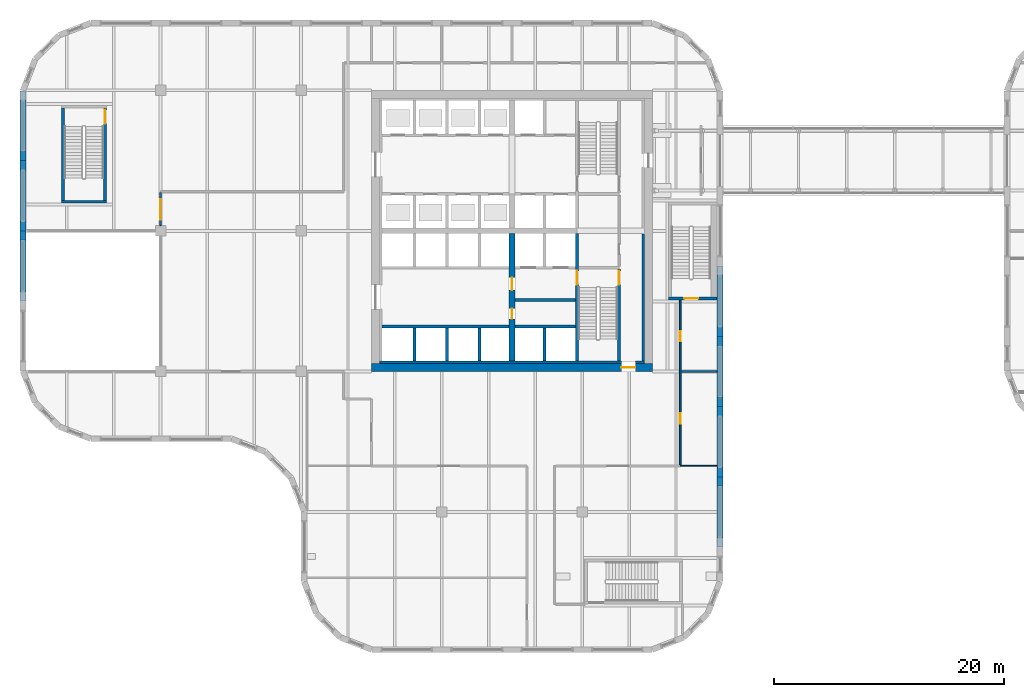
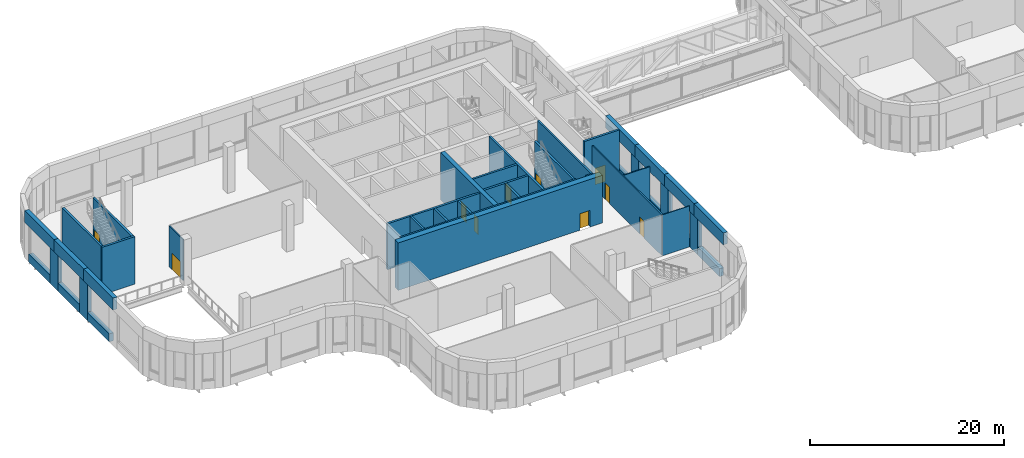
# One storey, part 22 of 36: 41 walls, 10 doors, 10 openings.
"""IFC4 building model written with IfcOpenShell, lengths in metres."""

from ifc_helpers import new_model, si_unit, direction, frame, frame_2d, origin, place, context, subcontext, project, spatial, polyline, rectangle, outline, extrude, faceted_brep, source, transform, mapped, material, layer, layer_set, type_object, element, fill, save


model = new_model("IFC4")

# Units and contexts
model_context = context("Model", 3, precision=1e-05, world=origin(), true_north=direction((0.0, 1.0)))
body_context = subcontext(model_context, "Body", "Model", "MODEL_VIEW")
ifc_project = project(units=[si_unit("LENGTHUNIT", "METRE"), si_unit("AREAUNIT", "SQUARE_METRE"), si_unit("VOLUMEUNIT", "CUBIC_METRE"), si_unit("PLANEANGLEUNIT", "RADIAN"), si_unit("MASSUNIT", "GRAM", prefix="KILO")], contexts=[model_context])

# Site, building, storey
site_placement = place(None, origin())
site = spatial("IfcSite", under=ifc_project, at=site_placement, CompositionType="ELEMENT")
building_placement = place(site_placement, origin())
building = spatial("IfcBuilding", under=site, at=building_placement, Name="Tessera Gate Towers", CompositionType="ELEMENT")
storey_placement = place(building_placement, frame((0.0, 0.0, 106.60009765625)))
storey = spatial("IfcBuildingStorey", under=building, at=storey_placement, Name="L26", CompositionType="ELEMENT", Elevation=106.60009765625)

# Wall, opening, door
ifc_material_1 = material(Name="Concrete C40/50", Category="concrete")
ifc_layer_1 = layer(ifc_material_1, 0.25)
ifc_layer_set_1 = layer_set([ifc_layer_1], Name="CORE ENCLOSURE WALL 250")
wall_type_1 = type_object("IfcWallType", Name="CORE ENCLOSURE WALL 250", PredefinedType="SOLIDWALL", material=ifc_layer_set_1)
wall_1_placement = place(storey_placement, frame((48.35009765625, 36.35009765625, 0.0), z_axis=(0.0, 0.0, 1.0), x_axis=(0.0, -1.0, 0.0)))
wall_1 = element("IfcWall", 1, at=wall_1_placement, inside=storey, type_object=wall_type_1, Name="L26 shaft and stair enclosure wall", PredefinedType="SOLIDWALL", context=body_context, shape_type="SweptSolid", body=[
    extrude(rectangle(XDim=11.050048828125, YDim=0.25, at=frame_2d((5.52490234375, 0.0))), origin(), (0.0, 0.0, 1.0), 6.0),
])
shared_shape_1 = source(origin(), body_context, "Body", "SweptSolid", [
    extrude(rectangle(XDim=1.199951171875, YDim=2.10009765625, at=frame_2d((0.60009765625, 1.050048828125))), frame((0.0, 0.135009765625, 0.0), z_axis=(0.0, -1.0, 0.0), x_axis=(1.0, 0.0, 0.0)), (0.0, 0.0, 1.0), 0.27001953125),
])
opening_1_placement = place(wall_1_placement, frame((3.22509765625, 0.0, 0.0)))
opening_1 = element("IfcOpeningElement", 2, at=opening_1_placement, cuts=wall_1, Name="Opening SD-ST1-1", PredefinedType="OPENING", context=body_context, shape_type="MappedRepresentation", body=[
    mapped(shared_shape_1, transform((0.0, 0.0, 0.0), scale=1.0)),
])
ifc_material_2 = material(Name="Hollow steel fire door", Category="steel")
door_type_1 = type_object("IfcDoorType", Name="CORE DOOR SD 1200x2100", OperationType="NOTDEFINED", PredefinedType="DOOR", material=ifc_material_2)
shared_shape_2 = source(origin(), body_context, "Body", "SweptSolid", [
    extrude(rectangle(XDim=1.199951171875, YDim=2.10009765625, at=frame_2d((0.60009765625, 1.050048828125))), frame((0.0, 0.02490234375, 0.0), z_axis=(0.0, -1.0, 0.0), x_axis=(1.0, 0.0, 0.0)), (0.0, 0.0, 1.0), 0.050048828125),
])
door_1_placement = place(opening_1_placement, origin())
door_1 = element("IfcDoor", 3, at=door_1_placement, inside=storey, type_object=door_type_1, Name="Stair door", OperationType="SINGLE_SWING_LEFT", OverallHeight=2.10009765625, OverallWidth=1.199951171875, PredefinedType="DOOR", context=body_context, shape_type="MappedRepresentation", body=[
    mapped(shared_shape_2, transform((0.0, 0.0, 0.0), scale=1.0)),
])
fill(opening_1, door_1)

# Walls
wall_2_placement = place(storey_placement, frame((31.39990234375, 28.300048828125, 0.0), z_axis=(0.0, 0.0, 1.0), x_axis=(1.0, 0.0, 0.0)))
element("IfcWall", 4, at=wall_2_placement, inside=storey, type_object=wall_type_1, Name="L26 shaft and stair enclosure wall", PredefinedType="SOLIDWALL", context=body_context, shape_type="SweptSolid", body=[
    extrude(rectangle(XDim=11.050048828125, YDim=0.25, at=frame_2d((5.52490234375, 0.0))), origin(), (0.0, 0.0, 1.0), 5.7998046875),
])
wall_3_placement = place(storey_placement, frame((42.949951171875, 28.300048828125, 0.0), z_axis=(0.0, 0.0, 1.0), x_axis=(1.0, 0.0, 0.0)))
element("IfcWall", 5, at=wall_3_placement, inside=storey, type_object=wall_type_1, Name="L26 shaft and stair enclosure wall", PredefinedType="SOLIDWALL", context=body_context, shape_type="SweptSolid", body=[
    extrude(rectangle(XDim=5.275146484375, YDim=0.25, at=frame_2d((2.6376953125, 0.0))), origin(), (0.0, 0.0, 1.0), 6.0),
])

# Wall, opening, door
wall_4_placement = place(storey_placement, frame((52.0, 25.300048828125, 0.0), z_axis=(0.0, 0.0, 1.0), x_axis=(0.0, 1.0, 0.0)))
wall_4 = element("IfcWall", 6, at=wall_4_placement, inside=storey, type_object=wall_type_1, Name="L26 shaft and stair enclosure wall", PredefinedType="SOLIDWALL", context=body_context, shape_type="SweptSolid", body=[
    extrude(rectangle(XDim=7.974853515625, YDim=0.25, at=frame_2d((3.9873046875, 0.0))), origin(), (0.0, 0.0, 1.0), 6.0),
])
opening_2_placement = place(wall_4_placement, frame((6.625, 0.0, 0.0)))
opening_2 = element("IfcOpeningElement", 7, at=opening_2_placement, cuts=wall_4, Name="Opening SD-ST1-2", PredefinedType="OPENING", context=body_context, shape_type="MappedRepresentation", body=[
    mapped(shared_shape_1, transform((0.0, 0.0, 0.0), scale=1.0)),
])
door_2_placement = place(opening_2_placement, origin())
door_2 = element("IfcDoor", 8, at=door_2_placement, inside=storey, type_object=door_type_1, Name="Stair door", OperationType="SINGLE_SWING_RIGHT", OverallHeight=2.10009765625, OverallWidth=1.199951171875, PredefinedType="DOOR", context=body_context, shape_type="MappedRepresentation", body=[
    mapped(shared_shape_2, transform((0.0, 0.0, 0.0), scale=1.0)),
])
fill(opening_2, door_2)

# Walls
wall_5_placement = place(storey_placement, frame((42.949951171875, 30.60009765625, 0.0), z_axis=(0.0, 0.0, 1.0), x_axis=(1.0, 0.0, 0.0)))
element("IfcWall", 9, at=wall_5_placement, inside=storey, type_object=wall_type_1, Name="L26 shaft and stair enclosure wall", PredefinedType="SOLIDWALL", context=body_context, shape_type="SweptSolid", body=[
    extrude(rectangle(XDim=5.275146484375, YDim=0.25, at=frame_2d((2.6376953125, 0.0))), origin(), (0.0, 0.0, 1.0), 6.0),
])
for number, where, z_axis, x_axis, name in (
    (10, (34.22509765625, 25.300048828125, 0.0), (0.0, 0.0, 1.0), (0.0, 1.0, 0.0), "L26 shaft and stair enclosure wall"),
    (11, (37.050048828125, 25.300048828125, 0.0), (0.0, 0.0, 1.0), (0.0, 1.0, 0.0), "L26 shaft and stair enclosure wall"),
    (12, (39.875, 25.300048828125, 0.0), (0.0, 0.0, 1.0), (0.0, 1.0, 0.0), "L26 shaft and stair enclosure wall"),
):
    element("IfcWall", number, at=place(storey_placement, frame(where, z_axis=z_axis, x_axis=x_axis)), inside=storey, type_object=wall_type_1, Name=name, PredefinedType="SOLIDWALL", context=body_context, shape_type="SweptSolid", body=[
        extrude(rectangle(XDim=2.875, YDim=0.25, at=frame_2d((1.4375, 0.0))), origin(), (0.0, 0.0, 1.0), 5.7998046875),
    ])
wall_6_placement = place(storey_placement, frame((45.52490234375, 25.300048828125, 0.0), z_axis=(0.0, 0.0, 1.0), x_axis=(0.0, 1.0, 0.0)))
element("IfcWall", 13, at=wall_6_placement, inside=storey, type_object=wall_type_1, Name="L26 shaft and stair enclosure wall", PredefinedType="SOLIDWALL", context=body_context, shape_type="SweptSolid", body=[
    extrude(rectangle(XDim=2.875, YDim=0.25, at=frame_2d((1.4375, 0.0))), origin(), (0.0, 0.0, 1.0), 6.0),
])
wall_7_placement = place(storey_placement, frame((7.5, 39.125, 0.0), z_axis=(0.0, 0.0, 1.0), x_axis=(-1.0, 0.0, 0.0)))
element("IfcWall", 14, at=wall_7_placement, inside=storey, type_object=wall_type_1, Name="L26 ST3 enclosure wall", PredefinedType="SOLIDWALL", context=body_context, shape_type="SweptSolid", body=[
    extrude(rectangle(XDim=3.89990234375, YDim=0.25, at=frame_2d((1.949951171875, 0.0))), origin(), (0.0, 0.0, 1.0), 6.0),
])
wall_8_placement = place(storey_placement, frame((3.72509765625, 39.25, 0.0), z_axis=(0.0, 0.0, 1.0), x_axis=(0.0, 1.0, 0.0)))
element("IfcWall", 15, at=wall_8_placement, inside=storey, type_object=wall_type_1, Name="L26 ST3 enclosure wall", PredefinedType="SOLIDWALL", context=body_context, shape_type="SweptSolid", body=[
    extrude(rectangle(XDim=8.0, YDim=0.25, at=frame_2d((4.0, 0.0))), origin(), (0.0, 0.0, 1.0), 6.0),
])

# Wall, opening, door
wall_9_placement = place(storey_placement, frame((7.375, 47.25, 0.0), z_axis=(0.0, 0.0, 1.0), x_axis=(0.0, -1.0, 0.0)))
wall_9 = element("IfcWall", 16, at=wall_9_placement, inside=storey, type_object=wall_type_1, Name="L26 ST3 enclosure wall", PredefinedType="SOLIDWALL", context=body_context, shape_type="SweptSolid", body=[
    extrude(rectangle(XDim=8.0, YDim=0.25, at=frame_2d((4.0, 0.0))), origin(), (0.0, 0.0, 1.0), 6.0),
])
opening_3_placement = place(wall_9_placement, frame((0.14990234375, 0.0, 0.0)))
opening_3 = element("IfcOpeningElement", 17, at=opening_3_placement, cuts=wall_9, Name="Opening SD-ST3-1", PredefinedType="OPENING", context=body_context, shape_type="MappedRepresentation", body=[
    mapped(shared_shape_1, transform((0.0, 0.0, 0.0), scale=1.0)),
])
door_3_placement = place(opening_3_placement, origin())
door_3 = element("IfcDoor", 18, at=door_3_placement, inside=storey, type_object=door_type_1, Name="Stair door", OperationType="SINGLE_SWING_LEFT", OverallHeight=2.10009765625, OverallWidth=1.199951171875, PredefinedType="DOOR", context=body_context, shape_type="MappedRepresentation", body=[
    mapped(shared_shape_2, transform((0.0, 0.0, 0.0), scale=1.0)),
])
fill(opening_3, door_3)

wall_10_placement = place(storey_placement, frame((60.5, 30.72509765625, 0.0), z_axis=(0.0, 0.0, 1.0), x_axis=(-1.0, 0.0, 0.0)))
wall_10 = element("IfcWall", 19, at=wall_10_placement, inside=storey, type_object=wall_type_1, Name="L26 ST5 enclosure wall", PredefinedType="SOLIDWALL", context=body_context, shape_type="SweptSolid", body=[
    extrude(rectangle(XDim=4.199951171875, YDim=0.25, at=frame_2d((2.10009765625, 0.0))), origin(), (0.0, 0.0, 1.0), 6.0),
])
opening_4_placement = place(wall_10_placement, frame((1.64990234375, 0.0, 0.0)))
opening_4 = element("IfcOpeningElement", 20, at=opening_4_placement, cuts=wall_10, Name="Opening SD-ST5-1", PredefinedType="OPENING", context=body_context, shape_type="MappedRepresentation", body=[
    mapped(shared_shape_1, transform((0.0, 0.0, 0.0), scale=1.0)),
])
door_4_placement = place(opening_4_placement, origin())
door_4 = element("IfcDoor", 21, at=door_4_placement, inside=storey, type_object=door_type_1, Name="Stair door", OperationType="SINGLE_SWING_RIGHT", OverallHeight=2.10009765625, OverallWidth=1.199951171875, PredefinedType="DOOR", context=body_context, shape_type="MappedRepresentation", body=[
    mapped(shared_shape_2, transform((0.0, 0.0, 0.0), scale=1.0)),
])
fill(opening_4, door_4)

ifc_material_3 = material(Name="Concrete C60/75", Category="concrete")
ifc_layer_2 = layer(ifc_material_3, 0.699951171875)
ifc_layer_set_2 = layer_set([ifc_layer_2], Name="CORE SHEAR WALL 700 C60/75")
wall_type_2 = type_object("IfcWallType", Name="CORE SHEAR WALL 700 C60/75", PredefinedType="SHEAR", material=ifc_layer_set_2)
wall_11_placement = place(storey_placement, frame((54.89990234375, 24.75, 0.0), z_axis=(0.0, 0.0, 1.0), x_axis=(-1.0, 0.0, 0.0)))
wall_11 = element("IfcWall", 22, at=wall_11_placement, inside=storey, type_object=wall_type_2, Name="Core wall S L26", PredefinedType="SHEAR", context=body_context, shape_type="SweptSolid", body=[
    extrude(rectangle(XDim=24.39990234375, YDim=0.699951171875, at=frame_2d((12.199951171875, 0.0))), origin(), (0.0, 0.0, 1.0), 6.0),
])
shared_shape_3 = source(origin(), body_context, "Body", "SweptSolid", [
    extrude(rectangle(XDim=1.199951171875, YDim=2.10009765625, at=frame_2d((0.60009765625, 1.050048828125))), frame((0.0, 0.35986328125, 0.0), z_axis=(0.0, -1.0, 0.0), x_axis=(1.0, 0.0, 0.0)), (0.0, 0.0, 1.0), 0.719970703125),
])
opening_5_placement = place(wall_11_placement, frame((1.5, 0.0, 0.0)))
opening_5 = element("IfcOpeningElement", 23, at=opening_5_placement, cuts=wall_11, Name="Opening ED-T1-18-01", PredefinedType="OPENING", context=body_context, shape_type="MappedRepresentation", body=[
    mapped(shared_shape_3, transform((0.0, 0.0, 0.0), scale=1.0)),
])
ifc_material_4 = material(Name="Hollow steel fire door", Category="steel")
door_type_2 = type_object("IfcDoorType", Name="CORE DOOR ED 1200x2100", OperationType="NOTDEFINED", PredefinedType="DOOR", material=ifc_material_4)
door_5_placement = place(opening_5_placement, origin())
door_5 = element("IfcDoor", 24, at=door_5_placement, inside=storey, type_object=door_type_2, Name="Core exit door", OperationType="SINGLE_SWING_LEFT", OverallHeight=2.10009765625, OverallWidth=1.199951171875, PredefinedType="DOOR", context=body_context, shape_type="MappedRepresentation", body=[
    mapped(shared_shape_2, transform((0.0, 0.0, 0.0), scale=1.0)),
])
fill(opening_5, door_5)

# Wall, openings, doors
ifc_material_5 = material(Name="Concrete C60/75", Category="concrete")
ifc_layer_3 = layer(ifc_material_5, 0.5)
ifc_layer_set_3 = layer_set([ifc_layer_3], Name="CORE SPINE WALL 500 C60/75")
wall_type_3 = type_object("IfcWallType", Name="CORE SPINE WALL 500 C60/75", PredefinedType="SHEAR", material=ifc_layer_set_3)
wall_12_placement = place(storey_placement, frame((42.699951171875, 36.35009765625, 0.0), z_axis=(0.0, 0.0, 1.0), x_axis=(0.0, -1.0, 0.0)))
wall_12 = element("IfcWall", 25, at=wall_12_placement, inside=storey, type_object=wall_type_3, Name="Core wall spine L26", PredefinedType="SHEAR", context=body_context, shape_type="SweptSolid", body=[
    extrude(rectangle(XDim=11.050048828125, YDim=0.5, at=frame_2d((5.52490234375, 0.0))), origin(), (0.0, 0.0, 1.0), 6.0),
])
shared_shape_4 = source(origin(), body_context, "Body", "SweptSolid", [
    extrude(rectangle(XDim=0.89990234375, YDim=2.10009765625, at=frame_2d((0.449951171875, 1.050048828125))), frame((0.0, 0.260009765625, 0.0), z_axis=(0.0, -1.0, 0.0), x_axis=(1.0, 0.0, 0.0)), (0.0, 0.0, 1.0), 0.52001953125),
])
opening_6_placement = place(wall_12_placement, frame((6.5, 0.0, 0.0)))
opening_6 = element("IfcOpeningElement", 26, at=opening_6_placement, cuts=wall_12, Name="Opening RD-T1-18-05", PredefinedType="OPENING", context=body_context, shape_type="MappedRepresentation", body=[
    mapped(shared_shape_4, transform((0.0, 0.0, 0.0), scale=1.0)),
])
shared_shape_5 = source(origin(), body_context, "Body", "SweptSolid", [
    extrude(rectangle(XDim=1.10009765625, YDim=2.10009765625, at=frame_2d((0.550048828125, 1.050048828125))), frame((0.0, 0.260009765625, 0.0), z_axis=(0.0, -1.0, 0.0), x_axis=(1.0, 0.0, 0.0)), (0.0, 0.0, 1.0), 0.52001953125),
])
opening_7_placement = place(wall_12_placement, frame((3.800048828125, 0.0, 0.0)))
opening_7 = element("IfcOpeningElement", 27, at=opening_7_placement, cuts=wall_12, Name="Opening FD-T1-18-06", PredefinedType="OPENING", context=body_context, shape_type="MappedRepresentation", body=[
    mapped(shared_shape_5, transform((0.0, 0.0, 0.0), scale=1.0)),
])
ifc_material_6 = material(Name="Hollow steel fire door", Category="steel")
door_type_3 = type_object("IfcDoorType", Name="CORE DOOR RD 900x2100", OperationType="NOTDEFINED", PredefinedType="DOOR", material=ifc_material_6)
shared_shape_6 = source(origin(), body_context, "Body", "SweptSolid", [
    extrude(rectangle(XDim=0.89990234375, YDim=2.10009765625, at=frame_2d((0.449951171875, 1.050048828125))), frame((0.0, 0.02490234375, 0.0), z_axis=(0.0, -1.0, 0.0), x_axis=(1.0, 0.0, 0.0)), (0.0, 0.0, 1.0), 0.050048828125),
])
door_6_placement = place(opening_6_placement, origin())
door_6 = element("IfcDoor", 28, at=door_6_placement, inside=storey, type_object=door_type_3, Name="Core room door", OperationType="SINGLE_SWING_RIGHT", OverallHeight=2.10009765625, OverallWidth=0.89990234375, PredefinedType="DOOR", context=body_context, shape_type="MappedRepresentation", body=[
    mapped(shared_shape_6, transform((0.0, 0.0, 0.0), scale=1.0)),
])
fill(opening_6, door_6)
ifc_material_7 = material(Name="Hollow steel fire door", Category="steel")
door_type_4 = type_object("IfcDoorType", Name="CORE DOOR FD 1100x2100", OperationType="NOTDEFINED", PredefinedType="DOOR", material=ifc_material_7)
shared_shape_7 = source(origin(), body_context, "Body", "SweptSolid", [
    extrude(rectangle(XDim=1.10009765625, YDim=2.10009765625, at=frame_2d((0.550048828125, 1.050048828125))), frame((0.0, 0.02490234375, 0.0), z_axis=(0.0, -1.0, 0.0), x_axis=(1.0, 0.0, 0.0)), (0.0, 0.0, 1.0), 0.050048828125),
])
door_7_placement = place(opening_7_placement, origin())
door_7 = element("IfcDoor", 29, at=door_7_placement, inside=storey, type_object=door_type_4, Name="Fire-fighting lobby door", OperationType="SINGLE_SWING_LEFT", OverallHeight=2.10009765625, OverallWidth=1.10009765625, PredefinedType="DOOR", context=body_context, shape_type="MappedRepresentation", body=[
    mapped(shared_shape_7, transform((0.0, 0.0, 0.0), scale=1.0)),
])
fill(opening_7, door_7)

# Walls
ifc_material_8 = material(Name="Concrete C60/75", Category="concrete")
ifc_layer_4 = layer(ifc_material_8, 0.199951171875)
ifc_layer_set_4 = layer_set([ifc_layer_4], Name="CORE WALL THICKENING 200")
wall_type_4 = type_object("IfcWallType", Name="CORE WALL THICKENING 200", PredefinedType="SOLIDWALL", material=ifc_layer_set_4)
wall_13_placement = place(storey_placement, frame((31.199951171875, 25.199951171875, 0.0), z_axis=(0.0, 0.0, 1.0), x_axis=(1.0, 0.0, 0.0)))
element("IfcWall", 30, at=wall_13_placement, inside=storey, type_object=wall_type_4, Name="Core wall thickening S L26", PredefinedType="SOLIDWALL", context=body_context, shape_type="SweptSolid", body=[
    extrude(rectangle(XDim=21.0, YDim=0.199951171875, at=frame_2d((10.5, 0.0))), origin(), (0.0, 0.0, 1.0), 6.0),
])
wall_14_placement = place(storey_placement, frame((53.39990234375, 25.199951171875, 0.0), z_axis=(0.0, 0.0, 1.0), x_axis=(1.0, 0.0, 0.0)))
element("IfcWall", 31, at=wall_14_placement, inside=storey, type_object=wall_type_4, Name="Core wall thickening S L26", PredefinedType="SOLIDWALL", context=body_context, shape_type="SweptSolid", body=[
    extrude(rectangle(XDim=0.800048828125, YDim=0.199951171875, at=frame_2d((0.39990234375, 0.0))), origin(), (0.0, 0.0, 1.0), 6.0),
])
wall_15_placement = place(storey_placement, frame((54.10009765625, 25.300048828125, 0.0), z_axis=(0.0, 0.0, 1.0), x_axis=(0.0, 1.0, 0.0)))
element("IfcWall", 32, at=wall_15_placement, inside=storey, type_object=wall_type_4, Name="Core wall thickening E L26", PredefinedType="SOLIDWALL", context=body_context, shape_type="SweptSolid", body=[
    extrude(rectangle(XDim=11.02001953125, YDim=0.199951171875, at=frame_2d((5.510009765625, 0.0))), origin(), (0.0, 0.0, 1.0), 6.0),
])

# Wall, openings, doors
ifc_material_9 = material(Name="Gypsum board on steel studs, mineral wool", Category="steel")
ifc_layer_5 = layer(ifc_material_9, 0.14990234375)
ifc_layer_set_5 = layer_set([ifc_layer_5], Name="CORRIDOR WALL 150")
wall_type_5 = type_object("IfcWallType", Name="CORRIDOR WALL 150", PredefinedType="PARTITIONING", material=ifc_layer_set_5)
wall_16_placement = place(storey_placement, frame((57.300048828125, 30.60009765625, 0.0), z_axis=(0.0, 0.0, 1.0), x_axis=(0.0, -1.0, 0.0)))
wall_16 = element("IfcWall", 33, at=wall_16_placement, inside=storey, type_object=wall_type_5, Name="T1-L26-PW-012", PredefinedType="PARTITIONING", context=body_context, shape_type="SweptSolid", body=[
    extrude(rectangle(XDim=14.32421875, YDim=0.14990234375, at=frame_2d((7.162109375, 0.0))), origin(), (0.0, 0.0, 1.0), 5.1669921875),
])
shared_shape_8 = source(origin(), body_context, "Body", "SweptSolid", [
    extrude(rectangle(XDim=0.89990234375, YDim=2.10009765625, at=frame_2d((0.449951171875, 1.050048828125))), frame((0.0, 0.0849609375, 0.0), z_axis=(0.0, -1.0, 0.0), x_axis=(1.0, 0.0, 0.0)), (0.0, 0.0, 1.0), 0.169921875),
])
opening_8_placement = place(wall_16_placement, frame((2.698974609375, 0.0, 0.0)))
opening_8 = element("IfcOpeningElement", 34, at=opening_8_placement, cuts=wall_16, Name="Opening D890FD60-A33-03", PredefinedType="OPENING", context=body_context, shape_type="MappedRepresentation", body=[
    mapped(shared_shape_8, transform((0.0, 0.0, 0.0), scale=1.0)),
])
opening_9_placement = place(wall_16_placement, frame((9.823974609375, 0.0, 0.0)))
opening_9 = element("IfcOpeningElement", 35, at=opening_9_placement, cuts=wall_16, Name="Opening D890FD60-A33-05", PredefinedType="OPENING", context=body_context, shape_type="MappedRepresentation", body=[
    mapped(shared_shape_8, transform((0.0, 0.0, 0.0), scale=1.0)),
])
ifc_material_10 = material(Name="Timber door leaf in steel frame", Category="steel")
door_type_5 = type_object("IfcDoorType", Name="CORRIDOR DOOR 900 FD60", OperationType="NOTDEFINED", PredefinedType="DOOR", material=ifc_material_10)
door_8_placement = place(opening_8_placement, origin())
door_8 = element("IfcDoor", 36, at=door_8_placement, inside=storey, type_object=door_type_5, Name="T1-L26-PD-005", OperationType="SINGLE_SWING_RIGHT", OverallHeight=2.10009765625, OverallWidth=0.89990234375, PredefinedType="DOOR", context=body_context, shape_type="MappedRepresentation", body=[
    mapped(shared_shape_6, transform((0.0, 0.0, 0.0), scale=1.0)),
])
fill(opening_8, door_8)
door_9_placement = place(opening_9_placement, origin())
door_9 = element("IfcDoor", 37, at=door_9_placement, inside=storey, type_object=door_type_5, Name="T1-L26-PD-007", OperationType="SINGLE_SWING_RIGHT", OverallHeight=2.10009765625, OverallWidth=0.89990234375, PredefinedType="DOOR", context=body_context, shape_type="MappedRepresentation", body=[
    mapped(shared_shape_6, transform((0.0, 0.0, 0.0), scale=1.0)),
])
fill(opening_9, door_9)

# Wall, opening, door
wall_17_placement = place(storey_placement, frame((12.199951171875, 37.051025390625, 0.0), z_axis=(0.0, 0.0, 1.0), x_axis=(0.0, 1.0, 0.0)))
wall_17 = element("IfcWall", 38, at=wall_17_placement, inside=storey, type_object=wall_type_5, Name="T1-L26-PW-018", PredefinedType="PARTITIONING", context=body_context, shape_type="SweptSolid", body=[
    extrude(rectangle(XDim=2.873046875, YDim=0.14990234375, at=frame_2d((1.4365234375, 0.0))), origin(), (0.0, 0.0, 1.0), 5.1669921875),
])
shared_shape_9 = source(origin(), body_context, "Body", "SweptSolid", [
    extrude(rectangle(XDim=1.800048828125, YDim=2.10009765625, at=frame_2d((0.89990234375, 1.050048828125))), frame((0.0, 0.0849609375, 0.0), z_axis=(0.0, -1.0, 0.0), x_axis=(1.0, 0.0, 0.0)), (0.0, 0.0, 1.0), 0.169921875),
])
opening_10_placement = place(wall_17_placement, frame((0.5, 0.0, 0.0)))
opening_10 = element("IfcOpeningElement", 39, at=opening_10_placement, cuts=wall_17, Name="Opening D2180FD60-A33-03", PredefinedType="OPENING", context=body_context, shape_type="MappedRepresentation", body=[
    mapped(shared_shape_9, transform((0.0, 0.0, 0.0), scale=1.0)),
])
ifc_material_11 = material(Name="Timber door leaf in steel frame", Category="steel")
door_type_6 = type_object("IfcDoorType", Name="TENANCY ENTRANCE DOUBLE DOOR 1800 FD60", OperationType="NOTDEFINED", PredefinedType="DOOR", material=ifc_material_11)
shared_shape_10 = source(origin(), body_context, "Body", "SweptSolid", [
    extrude(rectangle(XDim=1.800048828125, YDim=2.10009765625, at=frame_2d((0.89990234375, 1.050048828125))), frame((0.0, 0.02490234375, 0.0), z_axis=(0.0, -1.0, 0.0), x_axis=(1.0, 0.0, 0.0)), (0.0, 0.0, 1.0), 0.050048828125),
])
door_10_placement = place(opening_10_placement, origin())
door_10 = element("IfcDoor", 40, at=door_10_placement, inside=storey, type_object=door_type_6, Name="T1-L26-PD-012", OperationType="DOUBLE_DOOR_SINGLE_SWING", OverallHeight=2.10009765625, OverallWidth=1.800048828125, PredefinedType="DOOR", context=body_context, shape_type="MappedRepresentation", body=[
    mapped(shared_shape_10, transform((0.0, 0.0, 0.0), scale=1.0)),
])
fill(opening_10, door_10)

# Walls
ifc_material_12 = material(Name="Gypsum board on steel studs", Category="steel")
ifc_layer_6 = layer(ifc_material_12, 0.10009765625)
ifc_layer_set_6 = layer_set([ifc_layer_6], Name="PARTITION 100")
wall_type_6 = type_object("IfcWallType", Name="PARTITION 100", PredefinedType="PARTITIONING", material=ifc_layer_set_6)
wall_18_placement = place(storey_placement, frame((57.301025390625, 16.199951171875, 0.0), z_axis=(0.0, 0.0, 1.0), x_axis=(1.0, 0.0, 0.0)))
element("IfcWall", 41, at=wall_18_placement, inside=storey, type_object=wall_type_6, Name="T1-L26-PW-010", PredefinedType="PARTITIONING", context=body_context, shape_type="SweptSolid", body=[
    extrude(rectangle(XDim=3.198974609375, YDim=0.10009765625, at=frame_2d((1.599609375, 0.0))), origin(), (0.0, 0.0, 1.0), 5.1669921875),
])
ifc_material_13 = material(Name="Gypsum board on steel studs, mineral wool", Category="steel")
ifc_layer_7 = layer(ifc_material_13, 0.14990234375)
ifc_layer_set_7 = layer_set([ifc_layer_7], Name="TENANCY WALL 150")
wall_type_7 = type_object("IfcWallType", Name="TENANCY WALL 150", PredefinedType="PARTITIONING", material=ifc_layer_set_7)
wall_19_placement = place(storey_placement, frame((57.3759765625, 24.39990234375, 0.0), z_axis=(0.0, 0.0, 1.0), x_axis=(1.0, 0.0, 0.0)))
element("IfcWall", 42, at=wall_19_placement, inside=storey, type_object=wall_type_7, Name="T1-L26-PW-017", PredefinedType="PARTITIONING", context=body_context, shape_type="SweptSolid", body=[
    extrude(rectangle(XDim=3.1240234375, YDim=0.14990234375, at=frame_2d((1.56201171875, 0.0))), origin(), (0.0, 0.0, 1.0), 5.1669921875),
])
ifc_material_14 = material(Name="Precast concrete C60/75 white", Category="concrete")
ifc_layer_8 = layer(ifc_material_14, 0.5)
ifc_layer_set_8 = layer_set([ifc_layer_8], Name="RB1 ring band panel")
wall_type_8 = type_object("IfcWallType", Name="RB1 ring band panel", PredefinedType="SOLIDWALL", material=ifc_layer_set_8)
shared_shape_11 = source(origin(), body_context, "Body", "Brep", [
    faceted_brep([(0.0, -0.25, 0.0), (1.599853515625, -0.25, 0.0), (1.599853515625, -0.25, 4.5), (0.0, -0.25, 4.5), (0.0, 0.25, 4.5), (1.599853515625, 0.25, 4.5), (1.599853515625, 0.25, 0.0), (0.0, 0.25, 0.0)], [[[0, 1, 2, 3]], [[4, 5, 6, 7]], [[7, 6, 1, 0]], [[5, 4, 3, 2]], [[4, 7, 0, 3]], [[1, 6, 5, 2]]]),
])
for number, where, z_axis, x_axis, name in (
    (43, (60.75, 20.550048828125, 0.0), (0.0, 0.0, 1.0), (0.0, 1.0, 0.0), "Ring band panel T1 RB1-0125"),
    (44, (0.25, 37.39990234375, 0.0), (0.0, 0.0, 1.0), (0.0, -1.0, 0.0), "Ring band panel T1 RB1-0197"),
):
    element("IfcWall", number, at=place(storey_placement, frame(where, z_axis=z_axis, x_axis=x_axis)), inside=storey, type_object=wall_type_8, Name=name, PredefinedType="SOLIDWALL", context=body_context, shape_type="MappedRepresentation", body=[
        mapped(shared_shape_11, transform((0.0, 0.0, 0.0), scale=1.0)),
    ])
shared_shape_12 = source(origin(), body_context, "Body", "SweptSolid", [
    extrude(outline(polyline([(0.0, 0.0), (1.60009765625, 0.0), (1.60009765625, 4.5), (0.0, 4.5), (0.0, 0.0)])), frame((0.0, 0.25, 0.0), z_axis=(0.0, -1.0, 0.0), x_axis=(1.0, 0.0, 0.0)), (0.0, 0.0, 1.0), 0.5),
])
for number, where, z_axis, x_axis, name in (
    (45, (60.75, 14.449951171875, 0.0), (0.0, 0.0, 1.0), (0.0, 1.0, 0.0), "Ring band panel T1 RB1-0124"),
    (46, (60.75, 26.64990234375, 0.0), (0.0, 0.0, 1.0), (0.0, 1.0, 0.0), "Ring band panel T1 RB1-0126"),
    (47, (0.25, 43.5, 0.0), (0.0, 0.0, 1.0), (0.0, -1.0, 0.0), "Ring band panel T1 RB1-0196"),
):
    element("IfcWall", number, at=place(storey_placement, frame(where, z_axis=z_axis, x_axis=x_axis)), inside=storey, type_object=wall_type_8, Name=name, PredefinedType="SOLIDWALL", context=body_context, shape_type="MappedRepresentation", body=[
        mapped(shared_shape_12, transform((0.0, 0.0, 0.0), scale=1.0)),
    ])
shared_shape_13 = source(origin(), body_context, "Body", "SweptSolid", [
    extrude(outline(polyline([(0.0, 0.0), (4.453369140625, 0.0), (4.453369140625, 1.0), (0.0, 1.0), (0.0, 0.0)])), frame((0.0, 0.25, 0.0), z_axis=(0.0, -1.0, 0.0), x_axis=(1.0, 0.0, 0.0)), (0.0, 0.0, 1.0), 0.5),
])
wall_20_placement = place(storey_placement, frame((0.25, 47.953369140625, 0.0), z_axis=(0.0, 0.0, 1.0), x_axis=(0.0, -1.0, 0.0)))
element("IfcWall", 48, at=wall_20_placement, inside=storey, type_object=wall_type_8, Name="Ring band panel T1 RB1-0200", PredefinedType="SOLIDWALL", context=body_context, shape_type="MappedRepresentation", body=[
    mapped(shared_shape_13, transform((0.0, 0.0, 0.0), scale=1.0)),
])
shared_shape_14 = source(origin(), body_context, "Body", "Brep", [
    faceted_brep([(0.0, -0.25, 0.0), (6.053466796875, -0.25, 0.0), (6.053466796875, -0.25, 1.5), (0.0, -0.25, 1.5), (0.046630859375, 0.25, 1.5), (6.053466796875, 0.25, 1.5), (6.053466796875, 0.25, 0.0), (0.046630859375, 0.25, 0.0), (0.0, 0.0, 0.0), (0.0, 0.0, 1.5)], [[[0, 1, 2, 3]], [[4, 5, 6, 7]], [[7, 6, 1, 0, 8]], [[5, 4, 9, 3, 2]], [[8, 0, 3, 9]], [[7, 8, 9, 4]], [[1, 6, 5, 2]]]),
])
wall_21_placement = place(storey_placement, frame((0.25, 48.75341796875, 4.5), z_axis=(0.0, 0.0, 1.0), x_axis=(0.0, -1.0, 0.0)))
element("IfcWall", 49, at=wall_21_placement, inside=storey, type_object=wall_type_8, Name="Ring band panel T1 RB1-0201", PredefinedType="SOLIDWALL", context=body_context, shape_type="MappedRepresentation", body=[
    mapped(shared_shape_14, transform((0.0, 0.0, 0.0), scale=1.0)),
])
shared_shape_15 = source(origin(), body_context, "Body", "SweptSolid", [
    extrude(outline(polyline([(0.0, 0.0), (4.5, 0.0), (4.5, 1.0), (0.0, 1.0), (0.0, 0.0)])), frame((0.0, 0.25, 0.0), z_axis=(0.0, -1.0, 0.0), x_axis=(1.0, 0.0, 0.0)), (0.0, 0.0, 1.0), 0.5),
])
for number, where, z_axis, x_axis, name in (
    (50, (60.75, 9.949951171875, 0.0), (0.0, 0.0, 1.0), (0.0, 1.0, 0.0), "Ring band panel T1 RB1-0133"),
    (51, (60.75, 16.050048828125, 0.0), (0.0, 0.0, 1.0), (0.0, 1.0, 0.0), "Ring band panel T1 RB1-0135"),
    (52, (60.75, 22.14990234375, 0.0), (0.0, 0.0, 1.0), (0.0, 1.0, 0.0), "Ring band panel T1 RB1-0137"),
    (53, (60.75, 28.25, 0.0), (0.0, 0.0, 1.0), (0.0, 1.0, 0.0), "Ring band panel T1 RB1-0139"),
    (54, (0.25, 41.89990234375, 0.0), (0.0, 0.0, 1.0), (0.0, -1.0, 0.0), "Ring band panel T1 RB1-0202"),
    (55, (0.25, 35.800048828125, 0.0), (0.0, 0.0, 1.0), (0.0, -1.0, 0.0), "Ring band panel T1 RB1-0204"),
):
    element("IfcWall", number, at=place(storey_placement, frame(where, z_axis=z_axis, x_axis=x_axis)), inside=storey, type_object=wall_type_8, Name=name, PredefinedType="SOLIDWALL", context=body_context, shape_type="MappedRepresentation", body=[
        mapped(shared_shape_15, transform((0.0, 0.0, 0.0), scale=1.0)),
    ])
shared_shape_16 = source(origin(), body_context, "Body", "Brep", [
    faceted_brep([(0.0, -0.25, 0.0), (6.099853515625, -0.25, 0.0), (6.099853515625, -0.25, 1.5), (0.0, -0.25, 1.5), (0.0, 0.25, 1.5), (6.099853515625, 0.25, 1.5), (6.099853515625, 0.25, 0.0), (0.0, 0.25, 0.0)], [[[0, 1, 2, 3]], [[4, 5, 6, 7]], [[7, 6, 1, 0]], [[5, 4, 3, 2]], [[4, 7, 0, 3]], [[1, 6, 5, 2]]]),
])
for number, where, z_axis, x_axis, name in (
    (56, (60.75, 21.35009765625, 4.5), (0.0, 0.0, 1.0), (0.0, 1.0, 0.0), "Ring band panel T1 RB1-0138"),
    (57, (0.25, 42.699951171875, 4.5), (0.0, 0.0, 1.0), (0.0, -1.0, 0.0), "Ring band panel T1 RB1-0203"),
):
    element("IfcWall", number, at=place(storey_placement, frame(where, z_axis=z_axis, x_axis=x_axis)), inside=storey, type_object=wall_type_8, Name=name, PredefinedType="SOLIDWALL", context=body_context, shape_type="MappedRepresentation", body=[
        mapped(shared_shape_16, transform((0.0, 0.0, 0.0), scale=1.0)),
    ])
shared_shape_17 = source(origin(), body_context, "Body", "SweptSolid", [
    extrude(outline(polyline([(0.0, 0.0), (6.10009765625, 0.0), (6.10009765625, 1.5), (0.0, 1.5), (0.0, 0.0)])), frame((0.0, 0.25, 0.0), z_axis=(0.0, -1.0, 0.0), x_axis=(1.0, 0.0, 0.0)), (0.0, 0.0, 1.0), 0.5),
])
for number, where, z_axis, x_axis, name in (
    (58, (60.75, 9.14990234375, 4.5), (0.0, 0.0, 1.0), (0.0, 1.0, 0.0), "Ring band panel T1 RB1-0134"),
    (59, (60.75, 15.25, 4.5), (0.0, 0.0, 1.0), (0.0, 1.0, 0.0), "Ring band panel T1 RB1-0136"),
    (60, (60.75, 27.449951171875, 4.5), (0.0, 0.0, 1.0), (0.0, 1.0, 0.0), "Ring band panel T1 RB1-0140"),
    (61, (0.25, 36.60009765625, 4.5), (0.0, 0.0, 1.0), (0.0, -1.0, 0.0), "Ring band panel T1 RB1-0205"),
):
    element("IfcWall", number, at=place(storey_placement, frame(where, z_axis=z_axis, x_axis=x_axis)), inside=storey, type_object=wall_type_8, Name=name, PredefinedType="SOLIDWALL", context=body_context, shape_type="MappedRepresentation", body=[
        mapped(shared_shape_17, transform((0.0, 0.0, 0.0), scale=1.0)),
    ])

save(model, "model.ifc")
